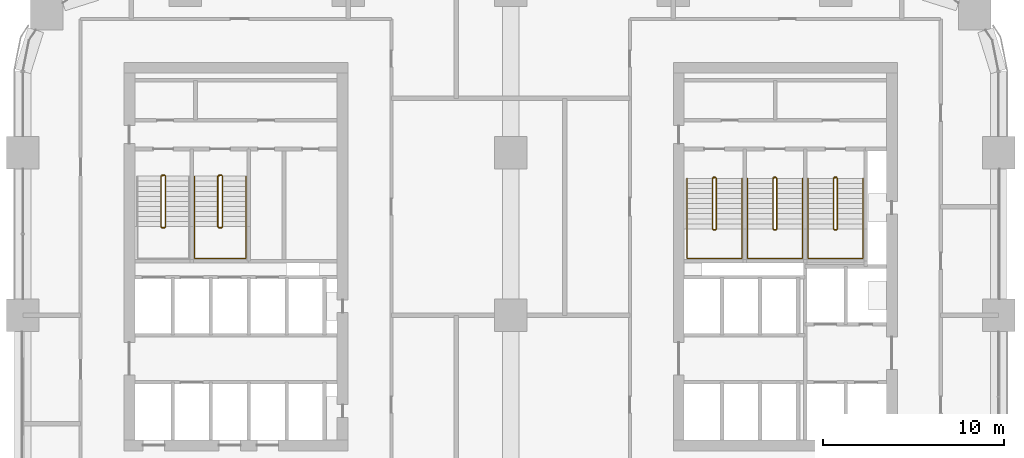
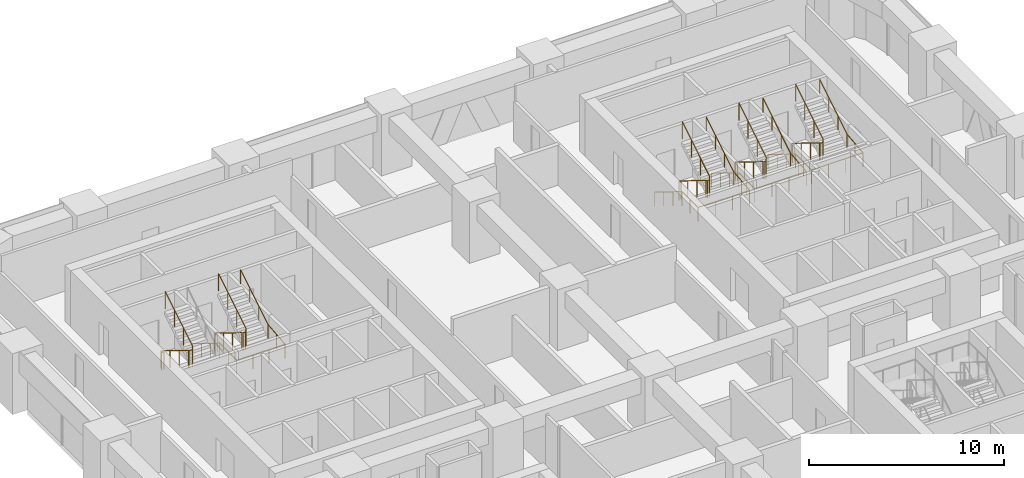
# One storey, part 21 of 21: 9 railings.
"""IFC4 building model written with IfcOpenShell, lengths in metres."""

import ifcopenshell
import ifcopenshell.guid

model = None  # the IFC model being written
_history = None  # IfcOwnerHistory: only IFC2X3 demands one
_inside = {}  # id of a spatial element -> (the spatial element, [elements in it])
_under = {}  # id of a project, library or spatial element -> (it, [spatial elements below it])
_declared = {}  # id of a project -> (the project, [libraries it declares])
_typed = {}  # id of a type object -> (the type object, [elements of that type])
_made_of = {}  # id of a material, layer set ... -> (it, [elements and type objects made of it])


def new_model(schema):
    """Start an empty IFC model of exactly this schema.

    Asked for "IFC4X3", IfcOpenShell would pick the latest addendum, in which some entities
    have other attributes; the version numbers below select the first issue.
    IFC2X3 requires an IfcOwnerHistory on every rooted entity: one is made here for all.
    """
    global model, _history
    if schema == "IFC4X3":
        model = ifcopenshell.file(schema_version=(4, 3, 0, 0))
    else:
        model = ifcopenshell.file(schema=schema)
    _inside.clear()
    _under.clear()
    _declared.clear()
    _typed.clear()
    _made_of.clear()
    _history = None
    if model.schema == "IFC2X3":
        org = make("IfcOrganization", Name="unknown")
        user = make(
            "IfcPersonAndOrganization",
            ThePerson=make("IfcPerson", FamilyName="unknown"),
            TheOrganization=org,
        )
        app = make(
            "IfcApplication",
            ApplicationDeveloper=org,
            Version="unknown",
            ApplicationFullName="unknown",
            ApplicationIdentifier="unknown",
        )
        _history = make(
            "IfcOwnerHistory",
            OwningUser=user,
            OwningApplication=app,
            ChangeAction="ADDED",
            CreationDate=0,
        )
    return model


def make(cls, **values):
    """One entity of the class cls with the attributes given. An attribute that is None is left unset."""
    return model.create_entity(
        cls, **{name: value for name, value in values.items() if value is not None}
    )


def rooted(cls, **values):
    """An entity with a GlobalId (a new one), such as an element, a storey or a relation."""
    return make(cls, GlobalId=ifcopenshell.guid.new(), OwnerHistory=_history, **values)


def si_unit(unit_type, name, prefix=None):
    """IfcSIUnit, for example si_unit("LENGTHUNIT", "METRE", prefix="MILLI")."""
    return make("IfcSIUnit", UnitType=unit_type, Prefix=prefix, Name=name)


def assignment(units):
    """IfcUnitAssignment: the units of a project."""
    return None if units is None else make("IfcUnitAssignment", Units=units)


def point(xyz):
    """IfcCartesianPoint."""
    return None if xyz is None else make("IfcCartesianPoint", Coordinates=xyz)


def direction(xyz):
    """IfcDirection."""
    return None if xyz is None else make("IfcDirection", DirectionRatios=xyz)


def frame(location, z_axis=None, x_axis=None):
    """IfcAxis2Placement3D, a coordinate frame: its origin and axes. An axis left out is left unset."""
    return make(
        "IfcAxis2Placement3D",
        Location=point(location),
        Axis=direction(z_axis),
        RefDirection=direction(x_axis),
    )


def frame_2d(location, x_axis=None):
    """IfcAxis2Placement2D, a coordinate frame in the plane: its origin and x axis."""
    return make(
        "IfcAxis2Placement2D", Location=point(location), RefDirection=direction(x_axis)
    )


def origin():
    """The frame at (0, 0, 0) with its axes left unset."""
    return frame((0.0, 0.0, 0.0))


def origin_2d():
    """The frame at (0, 0) in the plane with its x axis left unset."""
    return frame_2d((0.0, 0.0))


def place(relative_to, where):
    """IfcLocalPlacement: puts the frame where relative to a parent placement (None: the world)."""
    return make(
        "IfcLocalPlacement", PlacementRelTo=relative_to, RelativePlacement=where
    )


def context(
    kind, dimensions, precision=None, world=None, true_north=None, identifier=None
):
    """IfcGeometricRepresentationContext, for example the 3D "Model" context."""
    return make(
        "IfcGeometricRepresentationContext",
        ContextIdentifier=identifier,
        ContextType=kind,
        CoordinateSpaceDimension=dimensions,
        Precision=precision,
        WorldCoordinateSystem=world,
        TrueNorth=true_north,
    )


def subcontext(parent, identifier, kind, view, scale=None):
    """IfcGeometricRepresentationSubContext, for example "Body" below "Model"."""
    return make(
        "IfcGeometricRepresentationSubContext",
        ContextIdentifier=identifier,
        ContextType=kind,
        ParentContext=parent,
        TargetScale=scale,
        TargetView=view,
    )


def project(units=None, contexts=None):
    """IfcProject with its units and contexts."""
    return rooted(
        "IfcProject",
        Name="project",
        RepresentationContexts=contexts,
        UnitsInContext=assignment(units),
    )


def spatial(cls, under=None, at=None, **own):
    """A site, building, storey or space (cls), placed at a placement, below another one or the project."""
    s = rooted(cls, ObjectPlacement=at, **own)
    if under is not None:
        _under.setdefault(under.id(), (under, []))[1].append(s)
    return s


def profile(cls, at=None, kind="AREA", **sizes):
    """A parametric profile (cls). Its sizes go by their IFC names, for example OverallWidth=200.0."""
    return make(cls, ProfileType=kind, Position=at, **sizes)


def circle(**sizes):
    """IfcCircleProfileDef."""
    return profile("IfcCircleProfileDef", **sizes)


def extrude(swept, where, along, depth):
    """IfcExtrudedAreaSolid: the profile swept, set in the frame where, extruded along a direction by depth."""
    return make(
        "IfcExtrudedAreaSolid",
        SweptArea=swept,
        Position=where,
        ExtrudedDirection=direction(along),
        Depth=depth,
    )


def shape(context_of_items, identifier, shape_type, items):
    """IfcShapeRepresentation: the items that make up one representation, for example the "Body"."""
    return make(
        "IfcShapeRepresentation",
        ContextOfItems=context_of_items,
        RepresentationIdentifier=identifier,
        RepresentationType=shape_type,
        Items=items,
    )


def material(Name=None, Category=None):
    """IfcMaterial."""
    return make("IfcMaterial", Name=Name, Category=Category)


def made_of(thing, what):
    """Note that an element or type object is made of a material, layer set ...; save() writes the relation."""
    if what is not None:
        _made_of.setdefault(what.id(), (what, []))[1].append(thing)
    return thing


def type_object(cls, material=None, **own):
    """A type object (cls), such as IfcWallType, which elements share."""
    return made_of(rooted(cls, **own), material)


def element(
    cls,
    number,
    at=None,
    inside=None,
    cuts=None,
    type_object=None,
    material=None,
    context=None,
    identifier="Body",
    shape_type=None,
    held_by="IfcProductDefinitionShape",
    body=None,
    shapes=None,
    **own,
):
    """One element of the class cls, such as IfcWall. Its Tag is "e" and its number.

    at: its placement. inside: the storey or other place that contains it. cuts: it is an
    opening in that element (IfcRelVoidsElement). A single representation is given by context,
    identifier, shape_type and body (its items); several are given by shapes. held_by: the class
    of the entity that holds the representations. save() writes the other relations.
    """
    e = rooted(cls, Tag="e%d" % number, ObjectPlacement=at, **own)
    if body is not None:
        shapes = [shape(context, identifier, shape_type, body)]
    if shapes is not None:
        e.Representation = make(held_by, Representations=shapes)
    if inside is not None:
        _inside.setdefault(inside.id(), (inside, []))[1].append(e)
    if cuts is not None:
        rooted(
            "IfcRelVoidsElement", RelatingBuildingElement=cuts, RelatedOpeningElement=e
        )
    if type_object is not None:
        _typed.setdefault(type_object.id(), (type_object, []))[1].append(e)
    return made_of(e, material)


def aggregate(whole, parts):
    """IfcRelAggregates: a whole, such as a stair, and the parts it consists of."""
    return rooted("IfcRelAggregates", RelatingObject=whole, RelatedObjects=parts)


def save(model, path):
    """Write the relations noted so far, then the file.

    IfcRelAggregates (storeys below a building ...), IfcRelContainedInSpatialStructure (elements
    in a storey), IfcRelDefinesByType, IfcRelAssociatesMaterial and IfcRelDeclares: one each for
    every whole, place, type object, material and project.
    """
    for whole, parts in _under.values():
        aggregate(whole, parts)
    for where, things in _inside.values():
        rooted(
            "IfcRelContainedInSpatialStructure",
            RelatedElements=things,
            RelatingStructure=where,
        )
    for kind, things in _typed.values():
        rooted("IfcRelDefinesByType", RelatedObjects=things, RelatingType=kind)
    for what, things in _made_of.values():
        rooted("IfcRelAssociatesMaterial", RelatedObjects=things, RelatingMaterial=what)
    for by, libraries in _declared.values():
        rooted("IfcRelDeclares", RelatingContext=by, RelatedDefinitions=libraries)
    model.write(path)


model = new_model("IFC4")

# Units and contexts
model_context = context("Model", 3, precision=1e-05, world=origin(), true_north=direction((0.0, 1.0)))
body_context = subcontext(model_context, "Body", "Model", "MODEL_VIEW")
ifc_project = project(units=[si_unit("LENGTHUNIT", "METRE"), si_unit("AREAUNIT", "SQUARE_METRE"), si_unit("VOLUMEUNIT", "CUBIC_METRE"), si_unit("PLANEANGLEUNIT", "RADIAN"), si_unit("MASSUNIT", "GRAM", prefix="KILO")], contexts=[model_context])

# Site, building, storey
site_placement = place(None, origin())
site = spatial("IfcSite", under=ifc_project, at=site_placement, CompositionType="ELEMENT")
building_placement = place(site_placement, origin())
building = spatial("IfcBuilding", under=site, at=building_placement, Name="Tessera Arch", CompositionType="ELEMENT")
storey_placement = place(building_placement, frame((0.0, 0.0, 65.199951171875)))
storey = spatial("IfcBuildingStorey", under=building, at=storey_placement, Name="L14", CompositionType="ELEMENT", Elevation=65.199951171875)

# Railings
ifc_material_1 = material(Name="Painted steel balustrade", Category="steel")
railing_type_1 = type_object("IfcRailingType", Name="Stair guard 1100", PredefinedType="GUARDRAIL", material=ifc_material_1)
railing_1_placement = place(storey_placement, frame((38.219970703125, 43.6298828125, 0.0)))
element("IfcRailing", 1, at=railing_1_placement, inside=storey, type_object=railing_type_1, Name="L14 S1a stair guard 1", PredefinedType="GUARDRAIL", context=body_context, shape_type="SweptSolid", body=[
    extrude(circle(Radius=0.02392578125, at=origin_2d()), frame((-0.00390625, 0.0, 1.076171875), z_axis=(1.0, 0.0, 0.0), x_axis=(0.0, 1.0, 0.0)), (0.0, 0.0, 1.0), 0.1181640625),
    extrude(circle(Radius=0.02392578125, at=origin_2d()), frame((0.11279296875, 0.000732421875, 1.0732421875), z_axis=(-0.664965661675, -0.206788102106, 0.717676354369), x_axis=(0.296948579431, -0.954893471113, 0.0)), (0.0, 0.0, 1.0), 0.248779296875),
    extrude(circle(Radius=0.02392578125, at=origin_2d()), frame((-0.050048828125, -0.04638671875, 1.246826171875), z_axis=(0.0, -0.851089632645, 0.525020415988), x_axis=(1.0, 0.0, 0.0)), (0.0, 0.0, 1.0), 3.2978515625),
    extrude(circle(Radius=0.02392578125, at=origin_2d()), frame((-0.052978515625, -2.846923828125, 2.97607421875), z_axis=(0.707106781187, -0.707106781187, 0.0), x_axis=(0.707106781187, 0.707106781187, 0.0)), (0.0, 0.0, 1.0), 0.078857421875),
    extrude(circle(Radius=0.02392578125, at=origin_2d()), frame((-0.00390625, -2.89990234375, 2.97607421875), z_axis=(1.0, 0.0, 0.0), x_axis=(0.0, 1.0, 0.0)), (0.0, 0.0, 1.0), 0.1181640625),
    extrude(circle(Radius=0.02392578125, at=origin_2d()), frame((0.109130859375, -2.90087890625, 2.972412109375), z_axis=(0.267062837333, 0.268371968888, 0.925556009775), x_axis=(-0.708833529934, 0.705375805398, 0.0)), (0.0, 0.0, 1.0), 0.194580078125),
    extrude(circle(Radius=0.02392578125, at=origin_2d()), frame((0.159912109375, -2.853271484375, 3.146728515625), z_axis=(0.0, 0.851089632645, 0.525020415988), x_axis=(-1.0, 0.0, 0.0)), (0.0, 0.0, 1.0), 3.2978515625),
    extrude(circle(Radius=0.02099609375, at=origin_2d()), origin(), (0.0, 0.0, 1.0), 1.06396484375),
    extrude(circle(Radius=0.02099609375, at=origin_2d()), frame((0.110107421875, 0.0, 0.0)), (0.0, 0.0, 1.0), 1.06396484375),
    extrude(circle(Radius=0.02099609375, at=origin_2d()), frame((-0.050048828125, -0.0498046875, 0.1728515625)), (0.0, 0.0, 1.0), 1.06396484375),
    extrude(circle(Radius=0.02099609375, at=origin_2d()), frame((-0.050048828125, -0.983154296875, 0.74853515625)), (0.0, 0.0, 1.0), 1.06396484375),
    extrude(circle(Radius=0.02099609375, at=origin_2d()), frame((-0.050048828125, -1.91650390625, 1.324462890625)), (0.0, 0.0, 1.0), 1.06396484375),
    extrude(circle(Radius=0.02099609375, at=origin_2d()), frame((-0.050048828125, -2.849853515625, 1.900146484375)), (0.0, 0.0, 1.0), 1.06396484375),
    extrude(circle(Radius=0.02099609375, at=origin_2d()), frame((0.0, -2.89990234375, 1.900146484375)), (0.0, 0.0, 1.0), 1.06396484375),
    extrude(circle(Radius=0.02099609375, at=origin_2d()), frame((0.110107421875, -2.89990234375, 1.900146484375)), (0.0, 0.0, 1.0), 1.06396484375),
    extrude(circle(Radius=0.02099609375, at=origin_2d()), frame((0.159912109375, -2.849853515625, 2.07275390625)), (0.0, 0.0, 1.0), 1.06396484375),
    extrude(circle(Radius=0.02099609375, at=origin_2d()), frame((0.159912109375, -1.91650390625, 2.6484375)), (0.0, 0.0, 1.0), 1.06396484375),
    extrude(circle(Radius=0.02099609375, at=origin_2d()), frame((0.159912109375, -0.983154296875, 3.224365234375)), (0.0, 0.0, 1.0), 1.06396484375),
    extrude(circle(Radius=0.02099609375, at=origin_2d()), frame((0.159912109375, -0.0498046875, 3.800048828125)), (0.0, 0.0, 1.0), 1.06396484375),
])
railing_2_placement = place(storey_placement, frame((41.570068359375, 43.6298828125, 0.0)))
element("IfcRailing", 2, at=railing_2_placement, inside=storey, type_object=railing_type_1, Name="L14 S1b stair guard 1", PredefinedType="GUARDRAIL", context=body_context, shape_type="SweptSolid", body=[
    extrude(circle(Radius=0.02392578125, at=origin_2d()), frame((-0.00390625, 0.0, 1.076171875), z_axis=(1.0, 0.0, 0.0), x_axis=(0.0, 1.0, 0.0)), (0.0, 0.0, 1.0), 0.117919921875),
    extrude(circle(Radius=0.02392578125, at=origin_2d()), frame((0.112548828125, 0.000732421875, 1.0732421875), z_axis=(-0.664399645116, -0.206927523059, 0.718160227087), x_axis=(0.297361876254, -0.954764847777, 0.0)), (0.0, 0.0, 1.0), 0.248779296875),
    extrude(circle(Radius=0.02392578125, at=origin_2d()), frame((-0.050048828125, -0.04638671875, 1.246826171875), z_axis=(0.0, -0.851089632645, 0.525020415988), x_axis=(1.0, 0.0, 0.0)), (0.0, 0.0, 1.0), 3.2978515625),
    extrude(circle(Radius=0.02392578125, at=origin_2d()), frame((-0.052978515625, -2.846923828125, 2.97607421875), z_axis=(0.707106781187, -0.707106781187, 0.0), x_axis=(0.707106781187, 0.707106781187, 0.0)), (0.0, 0.0, 1.0), 0.078857421875),
    extrude(circle(Radius=0.02392578125, at=origin_2d()), frame((-0.00390625, -2.89990234375, 2.97607421875), z_axis=(1.0, 0.0, 0.0), x_axis=(0.0, 1.0, 0.0)), (0.0, 0.0, 1.0), 0.117919921875),
    extrude(circle(Radius=0.02392578125, at=origin_2d()), frame((0.10888671875, -2.90087890625, 2.972412109375), z_axis=(0.268277960024, 0.268277960024, 0.925231793839), x_axis=(-0.707106781187, 0.707106781187, 0.0)), (0.0, 0.0, 1.0), 0.194580078125),
    extrude(circle(Radius=0.02392578125, at=origin_2d()), frame((0.159912109375, -2.853271484375, 3.146728515625), z_axis=(0.0, 0.851089632645, 0.525020415988), x_axis=(-1.0, 0.0, 0.0)), (0.0, 0.0, 1.0), 3.2978515625),
    extrude(circle(Radius=0.02099609375, at=origin_2d()), origin(), (0.0, 0.0, 1.0), 1.06396484375),
    extrude(circle(Radius=0.02099609375, at=origin_2d()), frame((0.10986328125, 0.0, 0.0)), (0.0, 0.0, 1.0), 1.06396484375),
    extrude(circle(Radius=0.02099609375, at=origin_2d()), frame((-0.050048828125, -0.0498046875, 0.1728515625)), (0.0, 0.0, 1.0), 1.06396484375),
    extrude(circle(Radius=0.02099609375, at=origin_2d()), frame((-0.050048828125, -0.983154296875, 0.74853515625)), (0.0, 0.0, 1.0), 1.06396484375),
    extrude(circle(Radius=0.02099609375, at=origin_2d()), frame((-0.050048828125, -1.91650390625, 1.324462890625)), (0.0, 0.0, 1.0), 1.06396484375),
    extrude(circle(Radius=0.02099609375, at=origin_2d()), frame((-0.050048828125, -2.849853515625, 1.900146484375)), (0.0, 0.0, 1.0), 1.06396484375),
    extrude(circle(Radius=0.02099609375, at=origin_2d()), frame((0.0, -2.89990234375, 1.900146484375)), (0.0, 0.0, 1.0), 1.06396484375),
    extrude(circle(Radius=0.02099609375, at=origin_2d()), frame((0.10986328125, -2.89990234375, 1.900146484375)), (0.0, 0.0, 1.0), 1.06396484375),
    extrude(circle(Radius=0.02099609375, at=origin_2d()), frame((0.159912109375, -2.849853515625, 2.07275390625)), (0.0, 0.0, 1.0), 1.06396484375),
    extrude(circle(Radius=0.02099609375, at=origin_2d()), frame((0.159912109375, -1.91650390625, 2.6484375)), (0.0, 0.0, 1.0), 1.06396484375),
    extrude(circle(Radius=0.02099609375, at=origin_2d()), frame((0.159912109375, -0.983154296875, 3.224365234375)), (0.0, 0.0, 1.0), 1.06396484375),
    extrude(circle(Radius=0.02099609375, at=origin_2d()), frame((0.159912109375, -0.0498046875, 3.800048828125)), (0.0, 0.0, 1.0), 1.06396484375),
])
railing_3_placement = place(storey_placement, frame((44.919921875, 43.6298828125, 0.0)))
element("IfcRailing", 3, at=railing_3_placement, inside=storey, type_object=railing_type_1, Name="L14 S1c stair guard 1", PredefinedType="GUARDRAIL", context=body_context, shape_type="SweptSolid", body=[
    extrude(circle(Radius=0.02392578125, at=origin_2d()), frame((-0.00390625, 0.0, 1.076171875), z_axis=(1.0, 0.0, 0.0), x_axis=(0.0, 1.0, 0.0)), (0.0, 0.0, 1.0), 0.1181640625),
    extrude(circle(Radius=0.02392578125, at=origin_2d()), frame((0.11279296875, 0.000732421875, 1.0732421875), z_axis=(-0.664399645116, -0.206927523059, 0.718160227087), x_axis=(0.297361876254, -0.954764847777, 0.0)), (0.0, 0.0, 1.0), 0.248779296875),
    extrude(circle(Radius=0.02392578125, at=origin_2d()), frame((-0.0498046875, -0.04638671875, 1.246826171875), z_axis=(0.0, -0.851089632645, 0.525020415988), x_axis=(1.0, 0.0, 0.0)), (0.0, 0.0, 1.0), 3.2978515625),
    extrude(circle(Radius=0.02392578125, at=origin_2d()), frame((-0.052734375, -2.846923828125, 2.97607421875), z_axis=(0.705375805398, -0.708833529934, 0.0), x_axis=(0.708833529934, 0.705375805398, 0.0)), (0.0, 0.0, 1.0), 0.07861328125),
    extrude(circle(Radius=0.02392578125, at=origin_2d()), frame((-0.00390625, -2.89990234375, 2.97607421875), z_axis=(1.0, 0.0, 0.0), x_axis=(0.0, 1.0, 0.0)), (0.0, 0.0, 1.0), 0.1181640625),
    extrude(circle(Radius=0.02392578125, at=origin_2d()), frame((0.109130859375, -2.90087890625, 2.972412109375), z_axis=(0.268277960024, 0.268277960024, 0.925231793839), x_axis=(-0.707106781187, 0.707106781187, 0.0)), (0.0, 0.0, 1.0), 0.194580078125),
    extrude(circle(Radius=0.02392578125, at=origin_2d()), frame((0.16015625, -2.853271484375, 3.146728515625), z_axis=(0.0, 0.851089632645, 0.525020415988), x_axis=(-1.0, 0.0, 0.0)), (0.0, 0.0, 1.0), 3.2978515625),
    extrude(circle(Radius=0.02099609375, at=origin_2d()), origin(), (0.0, 0.0, 1.0), 1.06396484375),
    extrude(circle(Radius=0.02099609375, at=origin_2d()), frame((0.110107421875, 0.0, 0.0)), (0.0, 0.0, 1.0), 1.06396484375),
    extrude(circle(Radius=0.02099609375, at=origin_2d()), frame((-0.0498046875, -0.0498046875, 0.1728515625)), (0.0, 0.0, 1.0), 1.06396484375),
    extrude(circle(Radius=0.02099609375, at=origin_2d()), frame((-0.0498046875, -0.983154296875, 0.74853515625)), (0.0, 0.0, 1.0), 1.06396484375),
    extrude(circle(Radius=0.02099609375, at=origin_2d()), frame((-0.0498046875, -1.91650390625, 1.324462890625)), (0.0, 0.0, 1.0), 1.06396484375),
    extrude(circle(Radius=0.02099609375, at=origin_2d()), frame((-0.0498046875, -2.849853515625, 1.900146484375)), (0.0, 0.0, 1.0), 1.06396484375),
    extrude(circle(Radius=0.02099609375, at=origin_2d()), frame((0.0, -2.89990234375, 1.900146484375)), (0.0, 0.0, 1.0), 1.06396484375),
    extrude(circle(Radius=0.02099609375, at=origin_2d()), frame((0.110107421875, -2.89990234375, 1.900146484375)), (0.0, 0.0, 1.0), 1.06396484375),
    extrude(circle(Radius=0.02099609375, at=origin_2d()), frame((0.16015625, -2.849853515625, 2.07275390625)), (0.0, 0.0, 1.0), 1.06396484375),
    extrude(circle(Radius=0.02099609375, at=origin_2d()), frame((0.16015625, -1.91650390625, 2.6484375)), (0.0, 0.0, 1.0), 1.06396484375),
    extrude(circle(Radius=0.02099609375, at=origin_2d()), frame((0.16015625, -0.983154296875, 3.224365234375)), (0.0, 0.0, 1.0), 1.06396484375),
    extrude(circle(Radius=0.02099609375, at=origin_2d()), frame((0.16015625, -0.0498046875, 3.800048828125)), (0.0, 0.0, 1.0), 1.06396484375),
])
railing_4_placement = place(storey_placement, frame((7.699951171875, 43.75, 0.0)))
element("IfcRailing", 4, at=railing_4_placement, inside=storey, type_object=railing_type_1, Name="L14 S2a stair guard 1", PredefinedType="GUARDRAIL", context=body_context, shape_type="SweptSolid", body=[
    extrude(circle(Radius=0.02392578125, at=origin_2d()), frame((-0.00390625, 0.0, 1.076171875), z_axis=(1.0, 0.0, 0.0), x_axis=(0.0, 1.0, 0.0)), (0.0, 0.0, 1.0), 0.158203125),
    extrude(circle(Radius=0.02392578125, at=origin_2d()), frame((0.153076171875, 0.000732421875, 1.073486328125), z_axis=(-0.743708266585, -0.185927066646, 0.642128600905), x_axis=(0.242535625036, -0.970142500145, 0.0)), (0.0, 0.0, 1.0), 0.277099609375),
    extrude(circle(Radius=0.02392578125, at=origin_2d()), frame((-0.050048828125, -0.046630859375, 1.246826171875), z_axis=(0.0, -0.851089632645, 0.525020415988), x_axis=(1.0, 0.0, 0.0)), (0.0, 0.0, 1.0), 3.2978515625),
    extrude(circle(Radius=0.02392578125, at=origin_2d()), frame((-0.052978515625, -2.84716796875, 2.97607421875), z_axis=(0.708833529934, -0.705375805398, 0.0), x_axis=(0.705375805398, 0.708833529934, 0.0)), (0.0, 0.0, 1.0), 0.07861328125),
    extrude(circle(Radius=0.02392578125, at=origin_2d()), frame((-0.00390625, -2.89990234375, 2.97607421875), z_axis=(1.0, 0.0, 0.0), x_axis=(0.0, 1.0, 0.0)), (0.0, 0.0, 1.0), 0.158203125),
    extrude(circle(Radius=0.02392578125, at=origin_2d()), frame((0.149169921875, -2.90087890625, 2.972412109375), z_axis=(0.26715648603, 0.26715648603, 0.925880566782), x_axis=(-0.707106781187, 0.707106781187, 0.0)), (0.0, 0.0, 1.0), 0.1943359375),
    extrude(circle(Radius=0.02392578125, at=origin_2d()), frame((0.199951171875, -2.853515625, 3.146728515625), z_axis=(0.0, 0.851089632645, 0.525020415988), x_axis=(-1.0, 0.0, 0.0)), (0.0, 0.0, 1.0), 3.2978515625),
    extrude(circle(Radius=0.02099609375, at=origin_2d()), origin(), (0.0, 0.0, 1.0), 1.06396484375),
    extrude(circle(Radius=0.02099609375, at=origin_2d()), frame((0.150146484375, 0.0, 0.0)), (0.0, 0.0, 1.0), 1.06396484375),
    extrude(circle(Radius=0.02099609375, at=origin_2d()), frame((-0.050048828125, -0.050048828125, 0.1728515625)), (0.0, 0.0, 1.0), 1.06396484375),
    extrude(circle(Radius=0.02099609375, at=origin_2d()), frame((-0.050048828125, -0.9833984375, 0.74853515625)), (0.0, 0.0, 1.0), 1.06396484375),
    extrude(circle(Radius=0.02099609375, at=origin_2d()), frame((-0.050048828125, -1.916748046875, 1.324462890625)), (0.0, 0.0, 1.0), 1.06396484375),
    extrude(circle(Radius=0.02099609375, at=origin_2d()), frame((-0.050048828125, -2.85009765625, 1.900146484375)), (0.0, 0.0, 1.0), 1.06396484375),
    extrude(circle(Radius=0.02099609375, at=origin_2d()), frame((0.0, -2.89990234375, 1.900146484375)), (0.0, 0.0, 1.0), 1.06396484375),
    extrude(circle(Radius=0.02099609375, at=origin_2d()), frame((0.150146484375, -2.89990234375, 1.900146484375)), (0.0, 0.0, 1.0), 1.06396484375),
    extrude(circle(Radius=0.02099609375, at=origin_2d()), frame((0.199951171875, -2.85009765625, 2.07275390625)), (0.0, 0.0, 1.0), 1.06396484375),
    extrude(circle(Radius=0.02099609375, at=origin_2d()), frame((0.199951171875, -1.916748046875, 2.6484375)), (0.0, 0.0, 1.0), 1.06396484375),
    extrude(circle(Radius=0.02099609375, at=origin_2d()), frame((0.199951171875, -0.9833984375, 3.224365234375)), (0.0, 0.0, 1.0), 1.06396484375),
    extrude(circle(Radius=0.02099609375, at=origin_2d()), frame((0.199951171875, -0.050048828125, 3.800048828125)), (0.0, 0.0, 1.0), 1.06396484375),
])
railing_5_placement = place(storey_placement, frame((10.85009765625, 43.75, 0.0)))
element("IfcRailing", 5, at=railing_5_placement, inside=storey, type_object=railing_type_1, Name="L14 S2b stair guard 1", PredefinedType="GUARDRAIL", context=body_context, shape_type="SweptSolid", body=[
    extrude(circle(Radius=0.02392578125, at=origin_2d()), frame((-0.00390625, 0.0, 1.076171875), z_axis=(1.0, 0.0, 0.0), x_axis=(0.0, 1.0, 0.0)), (0.0, 0.0, 1.0), 0.157958984375),
    extrude(circle(Radius=0.02392578125, at=origin_2d()), frame((0.15283203125, 0.000732421875, 1.073486328125), z_axis=(-0.743302536996, -0.186052527575, 0.642561900114), x_axis=(0.242814311512, -0.970072785993, 0.0)), (0.0, 0.0, 1.0), 0.277099609375),
    extrude(circle(Radius=0.02392578125, at=origin_2d()), frame((-0.050048828125, -0.046630859375, 1.246826171875), z_axis=(0.0, -0.851089632645, 0.525020415988), x_axis=(1.0, 0.0, 0.0)), (0.0, 0.0, 1.0), 3.2978515625),
    extrude(circle(Radius=0.02392578125, at=origin_2d()), frame((-0.052978515625, -2.84716796875, 2.97607421875), z_axis=(0.708833529934, -0.705375805398, 0.0), x_axis=(0.705375805398, 0.708833529934, 0.0)), (0.0, 0.0, 1.0), 0.07861328125),
    extrude(circle(Radius=0.02392578125, at=origin_2d()), frame((-0.00390625, -2.89990234375, 2.97607421875), z_axis=(1.0, 0.0, 0.0), x_axis=(0.0, 1.0, 0.0)), (0.0, 0.0, 1.0), 0.157958984375),
    extrude(circle(Radius=0.02392578125, at=origin_2d()), frame((0.14892578125, -2.90087890625, 2.972412109375), z_axis=(0.268371968888, 0.267062837333, 0.925556009775), x_axis=(-0.705375805398, 0.708833529934, 0.0)), (0.0, 0.0, 1.0), 0.194580078125),
    extrude(circle(Radius=0.02392578125, at=origin_2d()), frame((0.199951171875, -2.853515625, 3.146728515625), z_axis=(0.0, 0.851089632645, 0.525020415988), x_axis=(-1.0, 0.0, 0.0)), (0.0, 0.0, 1.0), 3.2978515625),
    extrude(circle(Radius=0.02099609375, at=origin_2d()), origin(), (0.0, 0.0, 1.0), 1.06396484375),
    extrude(circle(Radius=0.02099609375, at=origin_2d()), frame((0.14990234375, 0.0, 0.0)), (0.0, 0.0, 1.0), 1.06396484375),
    extrude(circle(Radius=0.02099609375, at=origin_2d()), frame((-0.050048828125, -0.050048828125, 0.1728515625)), (0.0, 0.0, 1.0), 1.06396484375),
    extrude(circle(Radius=0.02099609375, at=origin_2d()), frame((-0.050048828125, -0.9833984375, 0.74853515625)), (0.0, 0.0, 1.0), 1.06396484375),
    extrude(circle(Radius=0.02099609375, at=origin_2d()), frame((-0.050048828125, -1.916748046875, 1.324462890625)), (0.0, 0.0, 1.0), 1.06396484375),
    extrude(circle(Radius=0.02099609375, at=origin_2d()), frame((-0.050048828125, -2.85009765625, 1.900146484375)), (0.0, 0.0, 1.0), 1.06396484375),
    extrude(circle(Radius=0.02099609375, at=origin_2d()), frame((0.0, -2.89990234375, 1.900146484375)), (0.0, 0.0, 1.0), 1.06396484375),
    extrude(circle(Radius=0.02099609375, at=origin_2d()), frame((0.14990234375, -2.89990234375, 1.900146484375)), (0.0, 0.0, 1.0), 1.06396484375),
    extrude(circle(Radius=0.02099609375, at=origin_2d()), frame((0.199951171875, -2.85009765625, 2.07275390625)), (0.0, 0.0, 1.0), 1.06396484375),
    extrude(circle(Radius=0.02099609375, at=origin_2d()), frame((0.199951171875, -1.916748046875, 2.6484375)), (0.0, 0.0, 1.0), 1.06396484375),
    extrude(circle(Radius=0.02099609375, at=origin_2d()), frame((0.199951171875, -0.9833984375, 3.224365234375)), (0.0, 0.0, 1.0), 1.06396484375),
    extrude(circle(Radius=0.02099609375, at=origin_2d()), frame((0.199951171875, -0.050048828125, 3.800048828125)), (0.0, 0.0, 1.0), 1.06396484375),
])
ifc_material_2 = material(Name="Painted steel handrail", Category="steel")
railing_type_2 = type_object("IfcRailingType", Name="Stair handrail 900", PredefinedType="HANDRAIL", material=ifc_material_2)
railing_6_placement = place(storey_placement, frame((36.75, 43.580078125, 0.1728515625)))
element("IfcRailing", 6, at=railing_6_placement, inside=storey, type_object=railing_type_2, Name="L14 S1a stair handrail", PredefinedType="HANDRAIL", context=body_context, shape_type="SweptSolid", body=[
    extrude(circle(Radius=0.02392578125, at=origin_2d()), frame((0.0, 0.00341796875, 0.873779296875), z_axis=(0.0, -0.851089632645, 0.525020415988), x_axis=(1.0, 0.0, 0.0)), (0.0, 0.0, 1.0), 3.2978515625),
    extrude(circle(Radius=0.02392578125, at=origin_2d()), frame((0.0, -2.796142578125, 2.60302734375), z_axis=(0.0, -1.0, 0.0), x_axis=(1.0, 0.0, 0.0)), (0.0, 0.0, 1.0), 1.63818359375),
    extrude(circle(Radius=0.02392578125, at=origin_2d()), frame((-0.00390625, -4.43017578125, 2.60302734375), z_axis=(1.0, 0.0, 0.0), x_axis=(0.0, 1.0, 0.0)), (0.0, 0.0, 1.0), 3.05810546875),
    extrude(circle(Radius=0.02392578125, at=origin_2d()), frame((3.050048828125, -4.43408203125, 2.602783203125), z_axis=(0.0, 0.994440793715, 0.105297235459), x_axis=(-1.0, 0.0, 0.0)), (0.0, 0.0, 1.0), 1.647216796875),
    extrude(circle(Radius=0.02392578125, at=origin_2d()), frame((3.050048828125, -2.803466796875, 2.773681640625), z_axis=(0.0, 0.851089632645, 0.525020415988), x_axis=(-1.0, 0.0, 0.0)), (0.0, 0.0, 1.0), 3.2978515625),
    extrude(circle(Radius=0.02099609375, at=origin_2d()), origin(), (0.0, 0.0, 1.0), 0.86376953125),
    extrude(circle(Radius=0.02099609375, at=origin_2d()), frame((0.0, -0.933349609375, 0.57568359375)), (0.0, 0.0, 1.0), 0.86376953125),
    extrude(circle(Radius=0.02099609375, at=origin_2d()), frame((0.0, -1.86669921875, 1.151611328125)), (0.0, 0.0, 1.0), 0.86376953125),
    extrude(circle(Radius=0.02099609375, at=origin_2d()), frame((0.0, -2.800048828125, 1.727294921875)), (0.0, 0.0, 1.0), 0.86376953125),
    extrude(circle(Radius=0.02099609375, at=origin_2d()), frame((0.0, -3.615234375, 1.727294921875)), (0.0, 0.0, 1.0), 0.86376953125),
    extrude(circle(Radius=0.02099609375, at=origin_2d()), frame((0.0, -4.43017578125, 1.727294921875)), (0.0, 0.0, 1.0), 0.86376953125),
    extrude(circle(Radius=0.02099609375, at=origin_2d()), frame((1.0166015625, -4.43017578125, 1.727294921875)), (0.0, 0.0, 1.0), 0.86376953125),
    extrude(circle(Radius=0.02099609375, at=origin_2d()), frame((2.033447265625, -4.43017578125, 1.727294921875)), (0.0, 0.0, 1.0), 0.86376953125),
    extrude(circle(Radius=0.02099609375, at=origin_2d()), frame((3.050048828125, -4.43017578125, 1.727294921875)), (0.0, 0.0, 1.0), 0.86376953125),
    extrude(circle(Radius=0.02099609375, at=origin_2d()), frame((3.050048828125, -3.615234375, 1.8134765625)), (0.0, 0.0, 1.0), 0.86376953125),
    extrude(circle(Radius=0.02099609375, at=origin_2d()), frame((3.050048828125, -2.800048828125, 1.89990234375)), (0.0, 0.0, 1.0), 0.86376953125),
    extrude(circle(Radius=0.02099609375, at=origin_2d()), frame((3.050048828125, -1.86669921875, 2.4755859375)), (0.0, 0.0, 1.0), 0.86376953125),
    extrude(circle(Radius=0.02099609375, at=origin_2d()), frame((3.050048828125, -0.933349609375, 3.051513671875)), (0.0, 0.0, 1.0), 0.86376953125),
    extrude(circle(Radius=0.02099609375, at=origin_2d()), frame((3.050048828125, 0.0, 3.627197265625)), (0.0, 0.0, 1.0), 0.86376953125),
])
railing_7_placement = place(storey_placement, frame((40.10009765625, 43.580078125, 0.1728515625)))
element("IfcRailing", 7, at=railing_7_placement, inside=storey, type_object=railing_type_2, Name="L14 S1b stair handrail", PredefinedType="HANDRAIL", context=body_context, shape_type="SweptSolid", body=[
    extrude(circle(Radius=0.02392578125, at=origin_2d()), frame((0.0, 0.00341796875, 0.873779296875), z_axis=(0.0, -0.851089632645, 0.525020415988), x_axis=(1.0, 0.0, 0.0)), (0.0, 0.0, 1.0), 3.2978515625),
    extrude(circle(Radius=0.02392578125, at=origin_2d()), frame((0.0, -2.796142578125, 2.60302734375), z_axis=(0.0, -1.0, 0.0), x_axis=(1.0, 0.0, 0.0)), (0.0, 0.0, 1.0), 1.63818359375),
    extrude(circle(Radius=0.02392578125, at=origin_2d()), frame((-0.00390625, -4.43017578125, 2.60302734375), z_axis=(1.0, 0.0, 0.0), x_axis=(0.0, 1.0, 0.0)), (0.0, 0.0, 1.0), 3.057861328125),
    extrude(circle(Radius=0.02392578125, at=origin_2d()), frame((3.0498046875, -4.43408203125, 2.602783203125), z_axis=(0.0, 0.994440793715, 0.105297235459), x_axis=(-1.0, 0.0, 0.0)), (0.0, 0.0, 1.0), 1.647216796875),
    extrude(circle(Radius=0.02392578125, at=origin_2d()), frame((3.0498046875, -2.803466796875, 2.773681640625), z_axis=(0.0, 0.851089632645, 0.525020415988), x_axis=(-1.0, 0.0, 0.0)), (0.0, 0.0, 1.0), 3.2978515625),
    extrude(circle(Radius=0.02099609375, at=origin_2d()), origin(), (0.0, 0.0, 1.0), 0.86376953125),
    extrude(circle(Radius=0.02099609375, at=origin_2d()), frame((0.0, -0.933349609375, 0.57568359375)), (0.0, 0.0, 1.0), 0.86376953125),
    extrude(circle(Radius=0.02099609375, at=origin_2d()), frame((0.0, -1.86669921875, 1.151611328125)), (0.0, 0.0, 1.0), 0.86376953125),
    extrude(circle(Radius=0.02099609375, at=origin_2d()), frame((0.0, -2.800048828125, 1.727294921875)), (0.0, 0.0, 1.0), 0.86376953125),
    extrude(circle(Radius=0.02099609375, at=origin_2d()), frame((0.0, -3.615234375, 1.727294921875)), (0.0, 0.0, 1.0), 0.86376953125),
    extrude(circle(Radius=0.02099609375, at=origin_2d()), frame((0.0, -4.43017578125, 1.727294921875)), (0.0, 0.0, 1.0), 0.86376953125),
    extrude(circle(Radius=0.02099609375, at=origin_2d()), frame((1.0166015625, -4.43017578125, 1.727294921875)), (0.0, 0.0, 1.0), 0.86376953125),
    extrude(circle(Radius=0.02099609375, at=origin_2d()), frame((2.033203125, -4.43017578125, 1.727294921875)), (0.0, 0.0, 1.0), 0.86376953125),
    extrude(circle(Radius=0.02099609375, at=origin_2d()), frame((3.0498046875, -4.43017578125, 1.727294921875)), (0.0, 0.0, 1.0), 0.86376953125),
    extrude(circle(Radius=0.02099609375, at=origin_2d()), frame((3.0498046875, -3.615234375, 1.8134765625)), (0.0, 0.0, 1.0), 0.86376953125),
    extrude(circle(Radius=0.02099609375, at=origin_2d()), frame((3.0498046875, -2.800048828125, 1.89990234375)), (0.0, 0.0, 1.0), 0.86376953125),
    extrude(circle(Radius=0.02099609375, at=origin_2d()), frame((3.0498046875, -1.86669921875, 2.4755859375)), (0.0, 0.0, 1.0), 0.86376953125),
    extrude(circle(Radius=0.02099609375, at=origin_2d()), frame((3.0498046875, -0.933349609375, 3.051513671875)), (0.0, 0.0, 1.0), 0.86376953125),
    extrude(circle(Radius=0.02099609375, at=origin_2d()), frame((3.0498046875, 0.0, 3.627197265625)), (0.0, 0.0, 1.0), 0.86376953125),
])
railing_8_placement = place(storey_placement, frame((43.449951171875, 43.580078125, 0.1728515625)))
element("IfcRailing", 8, at=railing_8_placement, inside=storey, type_object=railing_type_2, Name="L14 S1c stair handrail", PredefinedType="HANDRAIL", context=body_context, shape_type="SweptSolid", body=[
    extrude(circle(Radius=0.02392578125, at=origin_2d()), frame((0.0, 0.00341796875, 0.873779296875), z_axis=(0.0, -0.851089632645, 0.525020415988), x_axis=(1.0, 0.0, 0.0)), (0.0, 0.0, 1.0), 3.2978515625),
    extrude(circle(Radius=0.02392578125, at=origin_2d()), frame((0.0, -2.796142578125, 2.60302734375), z_axis=(0.0, -1.0, 0.0), x_axis=(1.0, 0.0, 0.0)), (0.0, 0.0, 1.0), 1.63818359375),
    extrude(circle(Radius=0.02392578125, at=origin_2d()), frame((-0.00390625, -4.43017578125, 2.60302734375), z_axis=(1.0, 0.0, 0.0), x_axis=(0.0, 1.0, 0.0)), (0.0, 0.0, 1.0), 3.05810546875),
    extrude(circle(Radius=0.02392578125, at=origin_2d()), frame((3.050048828125, -4.43408203125, 2.602783203125), z_axis=(0.0, 0.994440793715, 0.105297235459), x_axis=(-1.0, 0.0, 0.0)), (0.0, 0.0, 1.0), 1.647216796875),
    extrude(circle(Radius=0.02392578125, at=origin_2d()), frame((3.050048828125, -2.803466796875, 2.773681640625), z_axis=(0.0, 0.851089632645, 0.525020415988), x_axis=(-1.0, 0.0, 0.0)), (0.0, 0.0, 1.0), 3.2978515625),
    extrude(circle(Radius=0.02099609375, at=origin_2d()), origin(), (0.0, 0.0, 1.0), 0.86376953125),
    extrude(circle(Radius=0.02099609375, at=origin_2d()), frame((0.0, -0.933349609375, 0.57568359375)), (0.0, 0.0, 1.0), 0.86376953125),
    extrude(circle(Radius=0.02099609375, at=origin_2d()), frame((0.0, -1.86669921875, 1.151611328125)), (0.0, 0.0, 1.0), 0.86376953125),
    extrude(circle(Radius=0.02099609375, at=origin_2d()), frame((0.0, -2.800048828125, 1.727294921875)), (0.0, 0.0, 1.0), 0.86376953125),
    extrude(circle(Radius=0.02099609375, at=origin_2d()), frame((0.0, -3.615234375, 1.727294921875)), (0.0, 0.0, 1.0), 0.86376953125),
    extrude(circle(Radius=0.02099609375, at=origin_2d()), frame((0.0, -4.43017578125, 1.727294921875)), (0.0, 0.0, 1.0), 0.86376953125),
    extrude(circle(Radius=0.02099609375, at=origin_2d()), frame((1.0166015625, -4.43017578125, 1.727294921875)), (0.0, 0.0, 1.0), 0.86376953125),
    extrude(circle(Radius=0.02099609375, at=origin_2d()), frame((2.033447265625, -4.43017578125, 1.727294921875)), (0.0, 0.0, 1.0), 0.86376953125),
    extrude(circle(Radius=0.02099609375, at=origin_2d()), frame((3.050048828125, -4.43017578125, 1.727294921875)), (0.0, 0.0, 1.0), 0.86376953125),
    extrude(circle(Radius=0.02099609375, at=origin_2d()), frame((3.050048828125, -3.615234375, 1.8134765625)), (0.0, 0.0, 1.0), 0.86376953125),
    extrude(circle(Radius=0.02099609375, at=origin_2d()), frame((3.050048828125, -2.800048828125, 1.89990234375)), (0.0, 0.0, 1.0), 0.86376953125),
    extrude(circle(Radius=0.02099609375, at=origin_2d()), frame((3.050048828125, -1.86669921875, 2.4755859375)), (0.0, 0.0, 1.0), 0.86376953125),
    extrude(circle(Radius=0.02099609375, at=origin_2d()), frame((3.050048828125, -0.933349609375, 3.051513671875)), (0.0, 0.0, 1.0), 0.86376953125),
    extrude(circle(Radius=0.02099609375, at=origin_2d()), frame((3.050048828125, 0.0, 3.627197265625)), (0.0, 0.0, 1.0), 0.86376953125),
])
railing_9_placement = place(storey_placement, frame((9.5, 43.699951171875, 0.1728515625)))
element("IfcRailing", 9, at=railing_9_placement, inside=storey, type_object=railing_type_2, Name="L14 S2b stair handrail", PredefinedType="HANDRAIL", context=body_context, shape_type="SweptSolid", body=[
    extrude(circle(Radius=0.02392578125, at=origin_2d()), frame((0.0, 0.00341796875, 0.873779296875), z_axis=(0.0, -0.851089632645, 0.525020415988), x_axis=(1.0, 0.0, 0.0)), (0.0, 0.0, 1.0), 3.2978515625),
    extrude(circle(Radius=0.02392578125, at=origin_2d()), frame((0.0, -2.796142578125, 2.60302734375), z_axis=(0.0, -1.0, 0.0), x_axis=(1.0, 0.0, 0.0)), (0.0, 0.0, 1.0), 1.758056640625),
    extrude(circle(Radius=0.02392578125, at=origin_2d()), frame((-0.00390625, -4.550048828125, 2.60302734375), z_axis=(1.0, 0.0, 0.0), x_axis=(0.0, 1.0, 0.0)), (0.0, 0.0, 1.0), 2.858154296875),
    extrude(circle(Radius=0.02392578125, at=origin_2d()), frame((2.85009765625, -4.553955078125, 2.602783203125), z_axis=(0.0, 0.995170989745, 0.098156513637), x_axis=(-1.0, 0.0, 0.0)), (0.0, 0.0, 1.0), 1.7666015625),
    extrude(circle(Radius=0.02392578125, at=origin_2d()), frame((2.85009765625, -2.803466796875, 2.773681640625), z_axis=(0.0, 0.851089632645, 0.525020415988), x_axis=(-1.0, 0.0, 0.0)), (0.0, 0.0, 1.0), 3.2978515625),
    extrude(circle(Radius=0.02099609375, at=origin_2d()), origin(), (0.0, 0.0, 1.0), 0.86376953125),
    extrude(circle(Radius=0.02099609375, at=origin_2d()), frame((0.0, -0.933349609375, 0.57568359375)), (0.0, 0.0, 1.0), 0.86376953125),
    extrude(circle(Radius=0.02099609375, at=origin_2d()), frame((0.0, -1.86669921875, 1.151611328125)), (0.0, 0.0, 1.0), 0.86376953125),
    extrude(circle(Radius=0.02099609375, at=origin_2d()), frame((0.0, -2.800048828125, 1.727294921875)), (0.0, 0.0, 1.0), 0.86376953125),
    extrude(circle(Radius=0.02099609375, at=origin_2d()), frame((0.0, -3.675048828125, 1.727294921875)), (0.0, 0.0, 1.0), 0.86376953125),
    extrude(circle(Radius=0.02099609375, at=origin_2d()), frame((0.0, -4.550048828125, 1.727294921875)), (0.0, 0.0, 1.0), 0.86376953125),
    extrude(circle(Radius=0.02099609375, at=origin_2d()), frame((0.949951171875, -4.550048828125, 1.727294921875)), (0.0, 0.0, 1.0), 0.86376953125),
    extrude(circle(Radius=0.02099609375, at=origin_2d()), frame((1.900146484375, -4.550048828125, 1.727294921875)), (0.0, 0.0, 1.0), 0.86376953125),
    extrude(circle(Radius=0.02099609375, at=origin_2d()), frame((2.85009765625, -4.550048828125, 1.727294921875)), (0.0, 0.0, 1.0), 0.86376953125),
    extrude(circle(Radius=0.02099609375, at=origin_2d()), frame((2.85009765625, -3.675048828125, 1.8134765625)), (0.0, 0.0, 1.0), 0.86376953125),
    extrude(circle(Radius=0.02099609375, at=origin_2d()), frame((2.85009765625, -2.800048828125, 1.89990234375)), (0.0, 0.0, 1.0), 0.86376953125),
    extrude(circle(Radius=0.02099609375, at=origin_2d()), frame((2.85009765625, -1.86669921875, 2.4755859375)), (0.0, 0.0, 1.0), 0.86376953125),
    extrude(circle(Radius=0.02099609375, at=origin_2d()), frame((2.85009765625, -0.933349609375, 3.051513671875)), (0.0, 0.0, 1.0), 0.86376953125),
    extrude(circle(Radius=0.02099609375, at=origin_2d()), frame((2.85009765625, 0.0, 3.627197265625)), (0.0, 0.0, 1.0), 0.86376953125),
])

save(model, "model.ifc")
